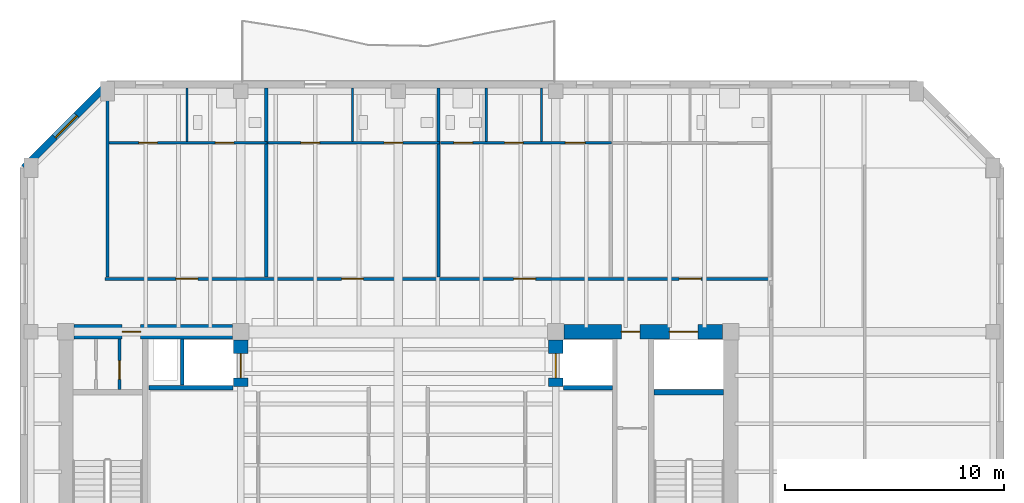
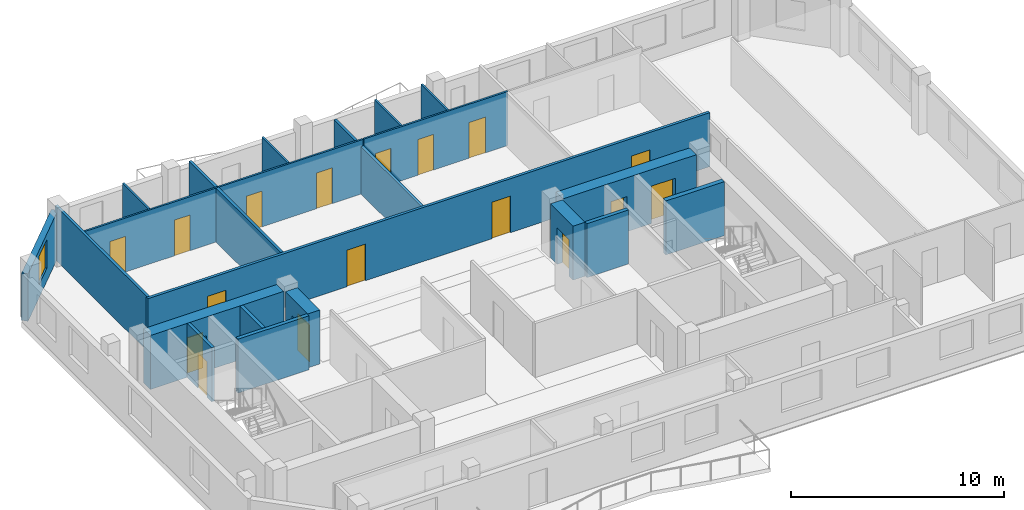
# One storey, part 4 of 9: 21 walls, 17 doors, 1 window, 18 openings.
"""IFC4 building model written with IfcOpenShell, lengths in metres."""

from ifc_helpers import new_model, si_unit, direction, frame, frame_2d, origin, place, context, subcontext, project, spatial, rectangle, extrude, material, layer, layer_set, type_object, element, fill, save


model = new_model("IFC4")

# Units and contexts
model_context = context("Model", 3, precision=1e-05, world=origin(), true_north=direction((0.0, 1.0)))
body_context = subcontext(model_context, "Body", "Model", "MODEL_VIEW")
ifc_project = project(units=[si_unit("LENGTHUNIT", "METRE"), si_unit("AREAUNIT", "SQUARE_METRE"), si_unit("VOLUMEUNIT", "CUBIC_METRE"), si_unit("PLANEANGLEUNIT", "RADIAN"), si_unit("MASSUNIT", "GRAM", prefix="KILO")], contexts=[model_context])

# Site, building, storey
site_placement = place(None, origin())
site = spatial("IfcSite", under=ifc_project, at=site_placement, CompositionType="ELEMENT")
building_placement = place(site_placement, origin())
building = spatial("IfcBuilding", under=site, at=building_placement, Name="Kranthara Brick Stack", CompositionType="ELEMENT")
storey_placement = place(building_placement, frame((0.0, 0.0, 258.5)))
storey = spatial("IfcBuildingStorey", under=building, at=storey_placement, Name="L68", CompositionType="ELEMENT", Elevation=258.5)

# Wall, opening, window
ifc_material_1 = material(Name="Warm buff clay brick masonry M15", Category="masonry")
ifc_layer_1 = layer(ifc_material_1, 0.320068359375)
ifc_layer_set_1 = layer_set([ifc_layer_1], Name="Warm buff clay brick masonry M15")
wall_type_1 = type_object("IfcWallType", Name="WL-BRK-UPPR-320", PredefinedType="STANDARD", material=ifc_layer_set_1)
wall_1_placement = place(storey_placement, frame((10.8798828125, 41.10009765625, 0.0), z_axis=(0.0, 0.0, 1.0), x_axis=(0.70712937715, 0.707084184501, 0.0)))
wall_1 = element("IfcWall", 1, at=wall_1_placement, inside=storey, type_object=wall_type_1, Name="L68 Exterior Brick Facade Wall NW 1", PredefinedType="STANDARD", context=body_context, shape_type="SweptSolid", body=[
    extrude(rectangle(XDim=5.402099609375, YDim=0.320068359375, at=frame_2d((2.701171875, 0.0))), origin(), (0.0, 0.0, 1.0), 2.72509765625),
])
opening_1_placement = place(wall_1_placement, frame((2.0009765625, 0.0, 0.75)))
opening_1 = element("IfcOpeningElement", 2, at=opening_1_placement, cuts=wall_1, Name="Opening WN10", PredefinedType="OPENING", context=body_context, shape_type="SweptSolid", body=[
    extrude(rectangle(XDim=1.39990234375, YDim=1.64990234375, at=frame_2d((0.699951171875, 0.824951171875))), frame((0.0, 0.169921875, 0.0), z_axis=(0.0, -1.0, 0.0), x_axis=(1.0, 0.0, 0.0)), (0.0, 0.0, 1.0), 0.340087890625),
])
ifc_material_2 = material(Name="Double-glazed low-E solar control glass", Category="glass")
window_type = type_object("IfcWindowType", Name="WN-CHM-1400x1750", PartitioningType="SINGLE_PANEL", PredefinedType="WINDOW", material=ifc_material_2)
window_placement = place(opening_1_placement, origin())
window = element("IfcWindow", 3, at=window_placement, inside=storey, type_object=window_type, Name="L68 NW Chamfer Corner Window", OverallHeight=1.64990234375, OverallWidth=1.39990234375, PartitioningType="SINGLE_PANEL", PredefinedType="WINDOW", context=body_context, shape_type="SweptSolid", body=[
    extrude(rectangle(XDim=1.39990234375, YDim=1.64990234375, at=frame_2d((0.699951171875, 0.824951171875))), frame((0.0, -0.010009765625, 0.0), z_axis=(0.0, -1.0, 0.0), x_axis=(1.0, 0.0, 0.0)), (0.0, 0.0, 1.0), 0.06005859375),
])
fill(opening_1, window)

# Wall
ifc_material_3 = material(Name="Concrete C50/60", Category="concrete")
ifc_layer_2 = layer(ifc_material_3, 0.25)
ifc_layer_set_2 = layer_set([ifc_layer_2], Name="Concrete C50/60")
wall_type_2 = type_object("IfcWallType", Name="WL-CORE-250", PredefinedType="SHEAR", material=ifc_layer_set_2)
wall_2_placement = place(storey_placement, frame((39.68994140625, 30.830078125, 0.0), z_axis=(0.0, 0.0, 1.0), x_axis=(1.0, 0.0, 0.0)))
element("IfcWall", 4, at=wall_2_placement, inside=storey, type_object=wall_type_2, Name="L68 East Stairwell Bearing Wall EST", PredefinedType="SHEAR", context=body_context, shape_type="SweptSolid", body=[
    extrude(rectangle(XDim=3.175048828125, YDim=0.25, at=frame_2d((1.58740234375, 0.0))), origin(), (0.0, 0.0, 1.0), 3.10009765625),
])

# Wall, opening, door
ifc_material_4 = material(Name="Concrete C60/75", Category="concrete")
ifc_layer_3 = layer(ifc_material_4, 0.64990234375)
ifc_layer_set_3 = layer_set([ifc_layer_3], Name="Concrete C60/75")
wall_type_3 = type_object("IfcWallType", Name="WL-CORE-650", PredefinedType="SHEAR", material=ifc_layer_set_3)
wall_3_placement = place(storey_placement, frame((13.179931640625, 33.60009765625, 0.0), z_axis=(0.0, 0.0, 1.0), x_axis=(1.0, 0.0, 0.0)))
wall_3 = element("IfcWall", 5, at=wall_3_placement, inside=storey, type_object=wall_type_3, Name="L68 West Core Shear Wall North", PredefinedType="SHEAR", context=body_context, shape_type="SweptSolid", body=[
    extrude(rectangle(XDim=7.239990234375, YDim=0.64990234375, at=frame_2d((3.6201171875, 0.0))), origin(), (0.0, 0.0, 1.0), 3.10009765625),
])
opening_2_placement = place(wall_3_placement, frame((2.18994140625, 0.0, 0.0)))
opening_2 = element("IfcOpeningElement", 6, at=opening_2_placement, cuts=wall_3, Name="Opening D10", PredefinedType="OPENING", context=body_context, shape_type="SweptSolid", body=[
    extrude(rectangle(XDim=0.85009765625, YDim=2.02001953125, at=frame_2d((0.425048828125, 1.010009765625))), frame((0.0, 0.3349609375, 0.0), z_axis=(0.0, -1.0, 0.0), x_axis=(1.0, 0.0, 0.0)), (0.0, 0.0, 1.0), 0.669921875),
])
ifc_material_5 = material(Name="Solid-core hardwood timber leaf in steel frame", Category="steel")
door_type_1 = type_object("IfcDoorType", Name="DR-RSR-850", OperationType="NOTDEFINED", PredefinedType="DOOR", material=ifc_material_5)
door_1_placement = place(opening_2_placement, origin())
door_1 = element("IfcDoor", 7, at=door_1_placement, inside=storey, type_object=door_type_1, Name="L68 West Core Service Door 1", OperationType="SINGLE_SWING_RIGHT", OverallHeight=2.02001953125, OverallWidth=0.85009765625, PredefinedType="DOOR", context=body_context, shape_type="SweptSolid", body=[
    extrude(rectangle(XDim=0.85009765625, YDim=2.02001953125, at=frame_2d((0.425048828125, 1.010009765625))), frame((0.0, 0.02490234375, 0.0), z_axis=(0.0, -1.0, 0.0), x_axis=(1.0, 0.0, 0.0)), (0.0, 0.0, 1.0), 0.050048828125),
])
fill(opening_2, door_1)

wall_4_placement = place(storey_placement, frame((20.800048828125, 31.10009765625, 0.0), z_axis=(0.0, 0.0, 1.0), x_axis=(0.0, 1.0, 0.0)))
wall_4 = element("IfcWall", 8, at=wall_4_placement, inside=storey, type_object=wall_type_3, Name="L68 West Core High-Rise Lift Wall", PredefinedType="SHEAR", context=body_context, shape_type="SweptSolid", body=[
    extrude(rectangle(XDim=2.119873046875, YDim=0.64990234375, at=frame_2d((1.06005859375, 0.0))), origin(), (0.0, 0.0, 1.0), 3.10009765625),
])
opening_3_placement = place(wall_4_placement, frame((0.39990234375, 0.0, 0.0)))
opening_3 = element("IfcOpeningElement", 9, at=opening_3_placement, cuts=wall_4, Name="Opening LD02", PredefinedType="OPENING", context=body_context, shape_type="SweptSolid", body=[
    extrude(rectangle(XDim=1.10009765625, YDim=2.10009765625, at=frame_2d((0.550048828125, 1.050048828125))), frame((0.0, 0.3349609375, 0.0), z_axis=(0.0, -1.0, 0.0), x_axis=(1.0, 0.0, 0.0)), (0.0, 0.0, 1.0), 0.669921875),
])
ifc_material_6 = material(Name="Stainless steel sliding landing door", Category="steel")
door_type_2 = type_object("IfcDoorType", Name="DR-LD-PL1100", OperationType="DOUBLE_DOOR_SLIDING", PredefinedType="DOOR", material=ifc_material_6)
door_2_placement = place(opening_3_placement, origin())
door_2 = element("IfcDoor", 10, at=door_2_placement, inside=storey, type_object=door_type_2, Name="L68 PL-07 Lift Landing Door", OperationType="DOUBLE_DOOR_SLIDING", OverallHeight=2.10009765625, OverallWidth=1.10009765625, PredefinedType="DOOR", context=body_context, shape_type="SweptSolid", body=[
    extrude(rectangle(XDim=1.10009765625, YDim=2.10009765625, at=frame_2d((0.550048828125, 1.050048828125))), frame((0.0, 0.02490234375, 0.0), z_axis=(0.0, -1.0, 0.0), x_axis=(1.0, 0.0, 0.0)), (0.0, 0.0, 1.0), 0.050048828125),
])
fill(opening_3, door_2)

# Wall, openings, doors
wall_5_placement = place(storey_placement, frame((35.580078125, 33.60009765625, 0.0), z_axis=(0.0, 0.0, 1.0), x_axis=(1.0, 0.0, 0.0)))
wall_5 = element("IfcWall", 11, at=wall_5_placement, inside=storey, type_object=wall_type_3, Name="L68 East Core Shear Wall North", PredefinedType="SHEAR", context=body_context, shape_type="SweptSolid", body=[
    extrude(rectangle(XDim=7.239990234375, YDim=0.64990234375, at=frame_2d((3.6201171875, 0.0))), origin(), (0.0, 0.0, 1.0), 3.10009765625),
])
opening_4_placement = place(wall_5_placement, frame((4.820068359375, 0.0, 0.0)))
opening_4 = element("IfcOpeningElement", 12, at=opening_4_placement, cuts=wall_5, Name="Opening LD03", PredefinedType="OPENING", context=body_context, shape_type="SweptSolid", body=[
    extrude(rectangle(XDim=1.300048828125, YDim=2.14990234375, at=frame_2d((0.64990234375, 1.074951171875))), frame((0.0, 0.3349609375, 0.0), z_axis=(0.0, -1.0, 0.0), x_axis=(1.0, 0.0, 0.0)), (0.0, 0.0, 1.0), 0.669921875),
])
opening_5_placement = place(wall_5_placement, frame((2.6201171875, 0.0, 0.0)))
opening_5 = element("IfcOpeningElement", 13, at=opening_5_placement, cuts=wall_5, Name="Opening D10", PredefinedType="OPENING", context=body_context, shape_type="SweptSolid", body=[
    extrude(rectangle(XDim=0.85009765625, YDim=2.02001953125, at=frame_2d((0.425048828125, 1.010009765625))), frame((0.0, 0.3349609375, 0.0), z_axis=(0.0, -1.0, 0.0), x_axis=(1.0, 0.0, 0.0)), (0.0, 0.0, 1.0), 0.669921875),
])
ifc_material_7 = material(Name="Stainless steel sliding landing door", Category="steel")
door_type_3 = type_object("IfcDoorType", Name="DR-LD-SV1300", OperationType="DOUBLE_DOOR_SLIDING", PredefinedType="DOOR", material=ifc_material_7)
door_3_placement = place(opening_4_placement, origin())
door_3 = element("IfcDoor", 14, at=door_3_placement, inside=storey, type_object=door_type_3, Name="L68 Stretcher Service Lift SV-01 Landing Door", OperationType="DOUBLE_DOOR_SLIDING", OverallHeight=2.14990234375, OverallWidth=1.300048828125, PredefinedType="DOOR", context=body_context, shape_type="SweptSolid", body=[
    extrude(rectangle(XDim=1.300048828125, YDim=2.14990234375, at=frame_2d((0.64990234375, 1.074951171875))), frame((0.0, 0.02490234375, 0.0), z_axis=(0.0, -1.0, 0.0), x_axis=(1.0, 0.0, 0.0)), (0.0, 0.0, 1.0), 0.050048828125),
])
fill(opening_4, door_3)
door_4_placement = place(opening_5_placement, origin())
door_4 = element("IfcDoor", 15, at=door_4_placement, inside=storey, type_object=door_type_1, Name="L68 East Core Service Room Door", OperationType="SINGLE_SWING_LEFT", OverallHeight=2.02001953125, OverallWidth=0.85009765625, PredefinedType="DOOR", context=body_context, shape_type="SweptSolid", body=[
    extrude(rectangle(XDim=0.85009765625, YDim=2.02001953125, at=frame_2d((0.425048828125, 1.010009765625))), frame((0.0, 0.02490234375, 0.0), z_axis=(0.0, -1.0, 0.0), x_axis=(1.0, 0.0, 0.0)), (0.0, 0.0, 1.0), 0.050048828125),
])
fill(opening_5, door_4)

# Wall, opening, door
wall_6_placement = place(storey_placement, frame((35.199951171875, 31.10009765625, 0.0), z_axis=(0.0, 0.0, 1.0), x_axis=(0.0, 1.0, 0.0)))
wall_6 = element("IfcWall", 16, at=wall_6_placement, inside=storey, type_object=wall_type_3, Name="L68 East Core High-Rise Lift Wall", PredefinedType="SHEAR", context=body_context, shape_type="SweptSolid", body=[
    extrude(rectangle(XDim=2.119873046875, YDim=0.64990234375, at=frame_2d((1.06005859375, 0.0))), origin(), (0.0, 0.0, 1.0), 3.10009765625),
])
opening_6_placement = place(wall_6_placement, frame((0.39990234375, 0.0, 0.0)))
opening_6 = element("IfcOpeningElement", 17, at=opening_6_placement, cuts=wall_6, Name="Opening LD02", PredefinedType="OPENING", context=body_context, shape_type="SweptSolid", body=[
    extrude(rectangle(XDim=1.10009765625, YDim=2.10009765625, at=frame_2d((0.550048828125, 1.050048828125))), frame((0.0, 0.3349609375, 0.0), z_axis=(0.0, -1.0, 0.0), x_axis=(1.0, 0.0, 0.0)), (0.0, 0.0, 1.0), 0.669921875),
])
door_5_placement = place(opening_6_placement, origin())
door_5 = element("IfcDoor", 18, at=door_5_placement, inside=storey, type_object=door_type_2, Name="L68 PL-08 Lift Landing Door", OperationType="DOUBLE_DOOR_SLIDING", OverallHeight=2.10009765625, OverallWidth=1.10009765625, PredefinedType="DOOR", context=body_context, shape_type="SweptSolid", body=[
    extrude(rectangle(XDim=1.10009765625, YDim=2.10009765625, at=frame_2d((0.550048828125, 1.050048828125))), frame((0.0, 0.02490234375, 0.0), z_axis=(0.0, -1.0, 0.0), x_axis=(1.0, 0.0, 0.0)), (0.0, 0.0, 1.0), 0.050048828125),
])
fill(opening_6, door_5)

# Wall, openings, doors
ifc_material_8 = material(Name="Moisture-resistant wet-room partition", Category="other")
ifc_layer_4 = layer(ifc_material_8, 0.10009765625)
ifc_layer_set_4 = layer_set([ifc_layer_4], Name="Moisture-resistant wet-room partition")
wall_type_4 = type_object("IfcWallType", Name="WL-PART-100", PredefinedType="PARTITIONING", material=ifc_layer_set_4)
wall_7_placement = place(storey_placement, frame((14.780029296875, 42.25, 0.0), z_axis=(0.0, 0.0, 1.0), x_axis=(1.0, 0.0, 0.0)))
wall_7 = element("IfcWall", 19, at=wall_7_placement, inside=storey, type_object=wall_type_4, Name="L68 Interior Partition 017", PredefinedType="PARTITIONING", context=body_context, shape_type="SweptSolid", body=[
    extrude(rectangle(XDim=7.22705078125, YDim=0.10009765625, at=frame_2d((3.613525390625, 0.0))), origin(), (0.0, 0.0, 1.0), 3.10009765625),
])
opening_7_placement = place(wall_7_placement, frame((1.35205078125, 0.0, 0.0)))
opening_7 = element("IfcOpeningElement", 20, at=opening_7_placement, cuts=wall_7, Name="Opening D16", PredefinedType="OPENING", context=body_context, shape_type="SweptSolid", body=[
    extrude(rectangle(XDim=0.85009765625, YDim=2.050048828125, at=frame_2d((0.425048828125, 1.02490234375))), frame((0.0, 0.06005859375, 0.0), z_axis=(0.0, -1.0, 0.0), x_axis=(1.0, 0.0, 0.0)), (0.0, 0.0, 1.0), 0.1201171875),
])
opening_8_placement = place(wall_7_placement, frame((4.85595703125, 0.0, 0.0)))
opening_8 = element("IfcOpeningElement", 21, at=opening_8_placement, cuts=wall_7, Name="Opening D17", PredefinedType="OPENING", context=body_context, shape_type="SweptSolid", body=[
    extrude(rectangle(XDim=0.85009765625, YDim=2.050048828125, at=frame_2d((0.425048828125, 1.02490234375))), frame((0.0, 0.06005859375, 0.0), z_axis=(0.0, -1.0, 0.0), x_axis=(1.0, 0.0, 0.0)), (0.0, 0.0, 1.0), 0.1201171875),
])
ifc_material_9 = material(Name="Solid-core hardwood timber leaf in steel frame", Category="steel")
door_type_4 = type_object("IfcDoorType", Name="DR-INT-850", OperationType="NOTDEFINED", PredefinedType="DOOR", material=ifc_material_9)
door_6_placement = place(opening_7_placement, origin())
door_6 = element("IfcDoor", 22, at=door_6_placement, inside=storey, type_object=door_type_4, Name="L68 Unit L68A Kitchen 12", OperationType="SINGLE_SWING_RIGHT", OverallHeight=2.050048828125, OverallWidth=0.85009765625, PredefinedType="DOOR", context=body_context, shape_type="SweptSolid", body=[
    extrude(rectangle(XDim=0.85009765625, YDim=2.050048828125, at=frame_2d((0.425048828125, 1.02490234375))), frame((0.0, 0.02490234375, 0.0), z_axis=(0.0, -1.0, 0.0), x_axis=(1.0, 0.0, 0.0)), (0.0, 0.0, 1.0), 0.050048828125),
])
fill(opening_7, door_6)
ifc_material_10 = material(Name="Solid-core hardwood timber leaf in steel frame", Category="steel")
door_type_5 = type_object("IfcDoorType", Name="DR-WET-850", OperationType="NOTDEFINED", PredefinedType="DOOR", material=ifc_material_10)
door_7_placement = place(opening_8_placement, origin())
door_7 = element("IfcDoor", 23, at=door_7_placement, inside=storey, type_object=door_type_5, Name="L68 Unit L68A Bathroom 13", OperationType="SINGLE_SWING_LEFT", OverallHeight=2.050048828125, OverallWidth=0.85009765625, PredefinedType="DOOR", context=body_context, shape_type="SweptSolid", body=[
    extrude(rectangle(XDim=0.85009765625, YDim=2.050048828125, at=frame_2d((0.425048828125, 1.02490234375))), frame((0.0, 0.02490234375, 0.0), z_axis=(0.0, -1.0, 0.0), x_axis=(1.0, 0.0, 0.0)), (0.0, 0.0, 1.0), 0.050048828125),
])
fill(opening_8, door_7)

# Wall
wall_8_placement = place(storey_placement, frame((18.333984375, 42.304931640625, 0.0), z_axis=(0.0, 0.0, 1.0), x_axis=(0.0, 1.0, 0.0)))
element("IfcWall", 24, at=wall_8_placement, inside=storey, type_object=wall_type_4, Name="L68 Interior Partition 018", PredefinedType="PARTITIONING", context=body_context, shape_type="SweptSolid", body=[
    extrude(rectangle(XDim=2.449951171875, YDim=0.10009765625, at=frame_2d((1.22509765625, 0.0))), origin(), (0.0, 0.0, 1.0), 3.10009765625),
])

# Wall, openings, doors
wall_9_placement = place(storey_placement, frame((22.047119140625, 42.25, 0.0), z_axis=(0.0, 0.0, 1.0), x_axis=(1.0, 0.0, 0.0)))
wall_9 = element("IfcWall", 25, at=wall_9_placement, inside=storey, type_object=wall_type_4, Name="L68 Interior Partition 020", PredefinedType="PARTITIONING", context=body_context, shape_type="SweptSolid", body=[
    extrude(rectangle(XDim=7.832763671875, YDim=0.10009765625, at=frame_2d((3.91650390625, 0.0))), origin(), (0.0, 0.0, 1.0), 3.10009765625),
])
opening_9_placement = place(wall_9_placement, frame((1.5029296875, 0.0, 0.0)))
opening_9 = element("IfcOpeningElement", 26, at=opening_9_placement, cuts=wall_9, Name="Opening D16", PredefinedType="OPENING", context=body_context, shape_type="SweptSolid", body=[
    extrude(rectangle(XDim=0.85009765625, YDim=2.050048828125, at=frame_2d((0.425048828125, 1.02490234375))), frame((0.0, 0.06005859375, 0.0), z_axis=(0.0, -1.0, 0.0), x_axis=(1.0, 0.0, 0.0)), (0.0, 0.0, 1.0), 0.1201171875),
])
opening_10_placement = place(wall_9_placement, frame((5.31005859375, 0.0, 0.0)))
opening_10 = element("IfcOpeningElement", 27, at=opening_10_placement, cuts=wall_9, Name="Opening D17", PredefinedType="OPENING", context=body_context, shape_type="SweptSolid", body=[
    extrude(rectangle(XDim=0.85009765625, YDim=2.050048828125, at=frame_2d((0.425048828125, 1.02490234375))), frame((0.0, 0.06005859375, 0.0), z_axis=(0.0, -1.0, 0.0), x_axis=(1.0, 0.0, 0.0)), (0.0, 0.0, 1.0), 0.1201171875),
])
door_8_placement = place(opening_9_placement, origin())
door_8 = element("IfcDoor", 28, at=door_8_placement, inside=storey, type_object=door_type_4, Name="L68 Unit L68B Kitchen 15", OperationType="SINGLE_SWING_LEFT", OverallHeight=2.050048828125, OverallWidth=0.85009765625, PredefinedType="DOOR", context=body_context, shape_type="SweptSolid", body=[
    extrude(rectangle(XDim=0.85009765625, YDim=2.050048828125, at=frame_2d((0.425048828125, 1.02490234375))), frame((0.0, 0.02490234375, 0.0), z_axis=(0.0, -1.0, 0.0), x_axis=(1.0, 0.0, 0.0)), (0.0, 0.0, 1.0), 0.050048828125),
])
fill(opening_9, door_8)
door_9_placement = place(opening_10_placement, origin())
door_9 = element("IfcDoor", 29, at=door_9_placement, inside=storey, type_object=door_type_5, Name="L68 Unit L68B Bathroom 16", OperationType="SINGLE_SWING_RIGHT", OverallHeight=2.050048828125, OverallWidth=0.85009765625, PredefinedType="DOOR", context=body_context, shape_type="SweptSolid", body=[
    extrude(rectangle(XDim=0.85009765625, YDim=2.050048828125, at=frame_2d((0.425048828125, 1.02490234375))), frame((0.0, 0.02490234375, 0.0), z_axis=(0.0, -1.0, 0.0), x_axis=(1.0, 0.0, 0.0)), (0.0, 0.0, 1.0), 0.050048828125),
])
fill(opening_10, door_9)

# Wall
wall_10_placement = place(storey_placement, frame((25.904052734375, 42.304931640625, 0.0), z_axis=(0.0, 0.0, 1.0), x_axis=(0.0, 1.0, 0.0)))
element("IfcWall", 30, at=wall_10_placement, inside=storey, type_object=wall_type_4, Name="L68 Interior Partition 021", PredefinedType="PARTITIONING", context=body_context, shape_type="SweptSolid", body=[
    extrude(rectangle(XDim=2.449951171875, YDim=0.10009765625, at=frame_2d((1.22509765625, 0.0))), origin(), (0.0, 0.0, 1.0), 3.10009765625),
])

# Wall, openings, doors
wall_11_placement = place(storey_placement, frame((29.919921875, 42.25, 0.0), z_axis=(0.0, 0.0, 1.0), x_axis=(1.0, 0.0, 0.0)))
wall_11 = element("IfcWall", 31, at=wall_11_placement, inside=storey, type_object=wall_type_4, Name="L68 Interior Partition 023", PredefinedType="PARTITIONING", context=body_context, shape_type="SweptSolid", body=[
    extrude(rectangle(XDim=7.8330078125, YDim=0.10009765625, at=frame_2d((3.91650390625, 0.0))), origin(), (0.0, 0.0, 1.0), 3.10009765625),
])
opening_11_placement = place(wall_11_placement, frame((0.625, 0.0, 0.0)))
opening_11 = element("IfcOpeningElement", 32, at=opening_11_placement, cuts=wall_11, Name="Opening D17", PredefinedType="OPENING", context=body_context, shape_type="SweptSolid", body=[
    extrude(rectangle(XDim=0.85009765625, YDim=2.050048828125, at=frame_2d((0.425048828125, 1.02490234375))), frame((0.0, 0.06005859375, 0.0), z_axis=(0.0, -1.0, 0.0), x_axis=(1.0, 0.0, 0.0)), (0.0, 0.0, 1.0), 0.1201171875),
])
opening_12_placement = place(wall_11_placement, frame((2.93896484375, 0.0, 0.0)))
opening_12 = element("IfcOpeningElement", 33, at=opening_12_placement, cuts=wall_11, Name="Opening D16", PredefinedType="OPENING", context=body_context, shape_type="SweptSolid", body=[
    extrude(rectangle(XDim=0.85009765625, YDim=2.050048828125, at=frame_2d((0.425048828125, 1.02490234375))), frame((0.0, 0.06005859375, 0.0), z_axis=(0.0, -1.0, 0.0), x_axis=(1.0, 0.0, 0.0)), (0.0, 0.0, 1.0), 0.1201171875),
])
opening_13_placement = place(wall_11_placement, frame((5.719970703125, 0.0, 0.0)))
opening_13 = element("IfcOpeningElement", 34, at=opening_13_placement, cuts=wall_11, Name="Opening D15", PredefinedType="OPENING", context=body_context, shape_type="SweptSolid", body=[
    extrude(rectangle(XDim=0.89990234375, YDim=2.050048828125, at=frame_2d((0.449951171875, 1.02490234375))), frame((0.0, 0.06005859375, 0.0), z_axis=(0.0, -1.0, 0.0), x_axis=(1.0, 0.0, 0.0)), (0.0, 0.0, 1.0), 0.1201171875),
])
door_10_placement = place(opening_12_placement, origin())
door_10 = element("IfcDoor", 35, at=door_10_placement, inside=storey, type_object=door_type_4, Name="L68 Unit L68C Kitchen 19", OperationType="SINGLE_SWING_LEFT", OverallHeight=2.050048828125, OverallWidth=0.85009765625, PredefinedType="DOOR", context=body_context, shape_type="SweptSolid", body=[
    extrude(rectangle(XDim=0.85009765625, YDim=2.050048828125, at=frame_2d((0.425048828125, 1.02490234375))), frame((0.0, 0.02490234375, 0.0), z_axis=(0.0, -1.0, 0.0), x_axis=(1.0, 0.0, 0.0)), (0.0, 0.0, 1.0), 0.050048828125),
])
fill(opening_12, door_10)
ifc_material_11 = material(Name="Solid-core hardwood timber leaf in steel frame", Category="steel")
door_type_6 = type_object("IfcDoorType", Name="DR-INT-900", OperationType="NOTDEFINED", PredefinedType="DOOR", material=ifc_material_11)
door_11_placement = place(opening_13_placement, origin())
door_11 = element("IfcDoor", 36, at=door_11_placement, inside=storey, type_object=door_type_6, Name="L68 Unit L68C Bedroom 20", OperationType="SINGLE_SWING_RIGHT", OverallHeight=2.050048828125, OverallWidth=0.89990234375, PredefinedType="DOOR", context=body_context, shape_type="SweptSolid", body=[
    extrude(rectangle(XDim=0.89990234375, YDim=2.050048828125, at=frame_2d((0.449951171875, 1.02490234375))), frame((0.0, 0.02490234375, 0.0), z_axis=(0.0, -1.0, 0.0), x_axis=(1.0, 0.0, 0.0)), (0.0, 0.0, 1.0), 0.050048828125),
])
fill(opening_13, door_11)
door_12_placement = place(opening_11_placement, origin())
door_12 = element("IfcDoor", 37, at=door_12_placement, inside=storey, type_object=door_type_5, Name="L68 Unit L68C Bathroom 18", OperationType="SINGLE_SWING_RIGHT", OverallHeight=2.050048828125, OverallWidth=0.85009765625, PredefinedType="DOOR", context=body_context, shape_type="SweptSolid", body=[
    extrude(rectangle(XDim=0.85009765625, YDim=2.050048828125, at=frame_2d((0.425048828125, 1.02490234375))), frame((0.0, 0.02490234375, 0.0), z_axis=(0.0, -1.0, 0.0), x_axis=(1.0, 0.0, 0.0)), (0.0, 0.0, 1.0), 0.050048828125),
])
fill(opening_11, door_12)

# Walls
for number, where, z_axis, x_axis, name in (
    (38, (32.02001953125, 42.304931640625, 0.0), (0.0, 0.0, 1.0), (0.0, 1.0, 0.0), "L68 Interior Partition 024"),
    (39, (34.548095703125, 42.304931640625, 0.0), (0.0, 0.0, 1.0), (0.0, 1.0, 0.0), "L68 Interior Partition 025"),
):
    element("IfcWall", number, at=place(storey_placement, frame(where, z_axis=z_axis, x_axis=x_axis)), inside=storey, type_object=wall_type_4, Name=name, PredefinedType="PARTITIONING", context=body_context, shape_type="SweptSolid", body=[
        extrude(rectangle(XDim=2.449951171875, YDim=0.10009765625, at=frame_2d((1.22509765625, 0.0))), origin(), (0.0, 0.0, 1.0), 3.10009765625),
    ])

# Wall, opening, door
ifc_material_12 = material(Name="Fire-rated gypsum board partition", Category="other")
ifc_layer_5 = layer(ifc_material_12, 0.14990234375)
ifc_layer_set_5 = layer_set([ifc_layer_5], Name="Fire-rated gypsum board partition")
wall_type_5 = type_object("IfcWallType", Name="WL-PART-150", PredefinedType="PARTITIONING", material=ifc_layer_set_5)
wall_12_placement = place(storey_placement, frame((15.25, 30.9599609375, 0.0), z_axis=(0.0, 0.0, 1.0), x_axis=(0.0, 1.0, 0.0)))
wall_12 = element("IfcWall", 40, at=wall_12_placement, inside=storey, type_object=wall_type_5, Name="L68 Interior Partition 002", PredefinedType="PARTITIONING", context=body_context, shape_type="SweptSolid", body=[
    extrude(rectangle(XDim=2.31005859375, YDim=0.14990234375, at=frame_2d((1.155029296875, 0.0))), origin(), (0.0, 0.0, 1.0), 3.10009765625),
])
opening_14_placement = place(wall_12_placement, frame((0.469970703125, 0.0, 0.0)))
opening_14 = element("IfcOpeningElement", 41, at=opening_14_placement, cuts=wall_12, Name="Opening D10", PredefinedType="OPENING", context=body_context, shape_type="SweptSolid", body=[
    extrude(rectangle(XDim=0.85009765625, YDim=2.02001953125, at=frame_2d((0.425048828125, 1.010009765625))), frame((0.0, 0.0849609375, 0.0), z_axis=(0.0, -1.0, 0.0), x_axis=(1.0, 0.0, 0.0)), (0.0, 0.0, 1.0), 0.169921875),
])
door_13_placement = place(opening_14_placement, origin())
door_13 = element("IfcDoor", 42, at=door_13_placement, inside=storey, type_object=door_type_1, Name="L68 Riser Door B 02", OperationType="SINGLE_SWING_RIGHT", OverallHeight=2.02001953125, OverallWidth=0.85009765625, PredefinedType="DOOR", context=body_context, shape_type="SweptSolid", body=[
    extrude(rectangle(XDim=0.85009765625, YDim=2.02001953125, at=frame_2d((0.425048828125, 1.010009765625))), frame((0.0, 0.02490234375, 0.0), z_axis=(0.0, -1.0, 0.0), x_axis=(1.0, 0.0, 0.0)), (0.0, 0.0, 1.0), 0.050048828125),
])
fill(opening_14, door_13)

# Wall, openings, doors
wall_13_placement = place(storey_placement, frame((14.580078125, 36.02001953125, 0.0), z_axis=(0.0, 0.0, 1.0), x_axis=(1.0, 0.0, 0.0)))
wall_13 = element("IfcWall", 43, at=wall_13_placement, inside=storey, type_object=wall_type_5, Name="L68 Interior Partition 015", PredefinedType="PARTITIONING", context=body_context, shape_type="SweptSolid", body=[
    extrude(rectangle(XDim=30.52001953125, YDim=0.14990234375, at=frame_2d((15.260009765625, 0.0))), origin(), (0.0, 0.0, 1.0), 3.10009765625),
])
opening_15_placement = place(wall_13_placement, frame((3.2529296875, 0.0, 0.0)))
opening_15 = element("IfcOpeningElement", 44, at=opening_15_placement, cuts=wall_13, Name="Opening D08", PredefinedType="OPENING", context=body_context, shape_type="SweptSolid", body=[
    extrude(rectangle(XDim=1.0, YDim=2.10009765625, at=frame_2d((0.5, 1.050048828125))), frame((0.0, 0.0849609375, 0.0), z_axis=(0.0, -1.0, 0.0), x_axis=(1.0, 0.0, 0.0)), (0.0, 0.0, 1.0), 0.169921875),
])
opening_16_placement = place(wall_13_placement, frame((10.822998046875, 0.0, 0.0)))
opening_16 = element("IfcOpeningElement", 45, at=opening_16_placement, cuts=wall_13, Name="Opening D08", PredefinedType="OPENING", context=body_context, shape_type="SweptSolid", body=[
    extrude(rectangle(XDim=1.0, YDim=2.10009765625, at=frame_2d((0.5, 1.050048828125))), frame((0.0, 0.0849609375, 0.0), z_axis=(0.0, -1.0, 0.0), x_axis=(1.0, 0.0, 0.0)), (0.0, 0.0, 1.0), 0.169921875),
])
opening_17_placement = place(wall_13_placement, frame((18.697021484375, 0.0, 0.0)))
opening_17 = element("IfcOpeningElement", 46, at=opening_17_placement, cuts=wall_13, Name="Opening D08", PredefinedType="OPENING", context=body_context, shape_type="SweptSolid", body=[
    extrude(rectangle(XDim=1.0, YDim=2.10009765625, at=frame_2d((0.5, 1.050048828125))), frame((0.0, 0.0849609375, 0.0), z_axis=(0.0, -1.0, 0.0), x_axis=(1.0, 0.0, 0.0)), (0.0, 0.0, 1.0), 0.169921875),
])
opening_18_placement = place(wall_13_placement, frame((26.26708984375, 0.0, 0.0)))
opening_18 = element("IfcOpeningElement", 47, at=opening_18_placement, cuts=wall_13, Name="Opening D08", PredefinedType="OPENING", context=body_context, shape_type="SweptSolid", body=[
    extrude(rectangle(XDim=1.0, YDim=2.10009765625, at=frame_2d((0.5, 1.050048828125))), frame((0.0, 0.0849609375, 0.0), z_axis=(0.0, -1.0, 0.0), x_axis=(1.0, 0.0, 0.0)), (0.0, 0.0, 1.0), 0.169921875),
])
ifc_material_13 = material(Name="Solid-core hardwood timber leaf in steel frame", Category="steel")
door_type_7 = type_object("IfcDoorType", Name="DR-FD-1000", OperationType="NOTDEFINED", PredefinedType="DOOR", material=ifc_material_13)
door_14_placement = place(opening_15_placement, origin())
door_14 = element("IfcDoor", 48, at=door_14_placement, inside=storey, type_object=door_type_7, Name="L68 Unit L68A Entrance 11", OperationType="SINGLE_SWING_LEFT", OverallHeight=2.10009765625, OverallWidth=1.0, PredefinedType="DOOR", context=body_context, shape_type="SweptSolid", body=[
    extrude(rectangle(XDim=1.0, YDim=2.10009765625, at=frame_2d((0.5, 1.050048828125))), frame((0.0, 0.02490234375, 0.0), z_axis=(0.0, -1.0, 0.0), x_axis=(1.0, 0.0, 0.0)), (0.0, 0.0, 1.0), 0.050048828125),
])
fill(opening_15, door_14)
door_15_placement = place(opening_16_placement, origin())
door_15 = element("IfcDoor", 49, at=door_15_placement, inside=storey, type_object=door_type_7, Name="L68 Unit L68B Entrance 14", OperationType="SINGLE_SWING_RIGHT", OverallHeight=2.10009765625, OverallWidth=1.0, PredefinedType="DOOR", context=body_context, shape_type="SweptSolid", body=[
    extrude(rectangle(XDim=1.0, YDim=2.10009765625, at=frame_2d((0.5, 1.050048828125))), frame((0.0, 0.02490234375, 0.0), z_axis=(0.0, -1.0, 0.0), x_axis=(1.0, 0.0, 0.0)), (0.0, 0.0, 1.0), 0.050048828125),
])
fill(opening_16, door_15)
door_16_placement = place(opening_17_placement, origin())
door_16 = element("IfcDoor", 50, at=door_16_placement, inside=storey, type_object=door_type_7, Name="L68 Unit L68C Entrance 17", OperationType="SINGLE_SWING_LEFT", OverallHeight=2.10009765625, OverallWidth=1.0, PredefinedType="DOOR", context=body_context, shape_type="SweptSolid", body=[
    extrude(rectangle(XDim=1.0, YDim=2.10009765625, at=frame_2d((0.5, 1.050048828125))), frame((0.0, 0.02490234375, 0.0), z_axis=(0.0, -1.0, 0.0), x_axis=(1.0, 0.0, 0.0)), (0.0, 0.0, 1.0), 0.050048828125),
])
fill(opening_17, door_16)
door_17_placement = place(opening_18_placement, origin())
door_17 = element("IfcDoor", 51, at=door_17_placement, inside=storey, type_object=door_type_7, Name="L68 Unit L68D Entrance 21", OperationType="SINGLE_SWING_LEFT", OverallHeight=2.10009765625, OverallWidth=1.0, PredefinedType="DOOR", context=body_context, shape_type="SweptSolid", body=[
    extrude(rectangle(XDim=1.0, YDim=2.10009765625, at=frame_2d((0.5, 1.050048828125))), frame((0.0, 0.02490234375, 0.0), z_axis=(0.0, -1.0, 0.0), x_axis=(1.0, 0.0, 0.0)), (0.0, 0.0, 1.0), 0.050048828125),
])
fill(opening_18, door_17)

# Walls
for number, where, z_axis, x_axis, name in (
    (52, (14.699951171875, 36.10009765625, 0.0), (0.0, 0.0, 1.0), (0.0, 1.0, 0.0), "L68 Interior Partition 016"),
    (53, (21.967041015625, 36.10009765625, 0.0), (0.0, 0.0, 1.0), (0.0, 1.0, 0.0), "L68 Interior Partition 019"),
):
    element("IfcWall", number, at=place(storey_placement, frame(where, z_axis=z_axis, x_axis=x_axis)), inside=storey, type_object=wall_type_5, Name=name, PredefinedType="PARTITIONING", context=body_context, shape_type="SweptSolid", body=[
        extrude(rectangle(XDim=8.65478515625, YDim=0.14990234375, at=frame_2d((4.327392578125, 0.0))), origin(), (0.0, 0.0, 1.0), 3.10009765625),
    ])
wall_14_placement = place(storey_placement, frame((29.840087890625, 36.10009765625, 0.0), z_axis=(0.0, 0.0, 1.0), x_axis=(0.0, 1.0, 0.0)))
element("IfcWall", 54, at=wall_14_placement, inside=storey, type_object=wall_type_5, Name="L68 Interior Partition 022", PredefinedType="PARTITIONING", context=body_context, shape_type="SweptSolid", body=[
    extrude(rectangle(XDim=8.65478515625, YDim=0.14990234375, at=frame_2d((4.327392578125, 0.0))), origin(), (0.0, 0.0, 1.0), 2.72509765625),
])
ifc_material_14 = material(Name="Gypsum plasterboard on acoustic twin stud", Category="other")
ifc_layer_6 = layer(ifc_material_14, 0.179931640625)
ifc_layer_set_6 = layer_set([ifc_layer_6], Name="Gypsum plasterboard on acoustic twin stud")
wall_type_6 = type_object("IfcWallType", Name="WL-PART-180", PredefinedType="PARTITIONING", material=ifc_layer_set_6)
wall_15_placement = place(storey_placement, frame((18.1201171875, 31.169921875, 0.0), z_axis=(0.0, 0.0, 1.0), x_axis=(0.0, 1.0, 0.0)))
element("IfcWall", 55, at=wall_15_placement, inside=storey, type_object=wall_type_6, Name="L68 PL-07 Shaft Back Wall", PredefinedType="PARTITIONING", context=body_context, shape_type="SweptSolid", body=[
    extrude(rectangle(XDim=2.094970703125, YDim=0.179931640625, at=frame_2d((1.04736328125, 0.0))), origin(), (0.0, 0.0, 1.0), 3.10009765625),
])
ifc_material_15 = material(Name="Concrete C40/50", Category="concrete")
ifc_layer_7 = layer(ifc_material_15, 0.199951171875)
ifc_layer_set_7 = layer_set([ifc_layer_7], Name="Concrete C40/50")
wall_type_7 = type_object("IfcWallType", Name="WL-PART-200", PredefinedType="SOLIDWALL", material=ifc_layer_set_7)
wall_16_placement = place(storey_placement, frame((16.60009765625, 31.050048828125, 0.0), z_axis=(0.0, 0.0, 1.0), x_axis=(1.0, 0.0, 0.0)))
element("IfcWall", 56, at=wall_16_placement, inside=storey, type_object=wall_type_7, Name="L68 West Core Cross Wall WH4", PredefinedType="SOLIDWALL", context=body_context, shape_type="SweptSolid", body=[
    extrude(rectangle(XDim=3.849853515625, YDim=0.199951171875, at=frame_2d((1.9248046875, 0.0))), origin(), (0.0, 0.0, 1.0), 3.10009765625),
])
wall_17_placement = place(storey_placement, frame((35.550048828125, 31.050048828125, 0.0), z_axis=(0.0, 0.0, 1.0), x_axis=(1.0, 0.0, 0.0)))
element("IfcWall", 57, at=wall_17_placement, inside=storey, type_object=wall_type_7, Name="L68 East Core Cross Wall EE4", PredefinedType="SOLIDWALL", context=body_context, shape_type="SweptSolid", body=[
    extrude(rectangle(XDim=2.25, YDim=0.199951171875, at=frame_2d((1.125, 0.0))), origin(), (0.0, 0.0, 1.0), 3.10009765625),
])

save(model, "model.ifc")
